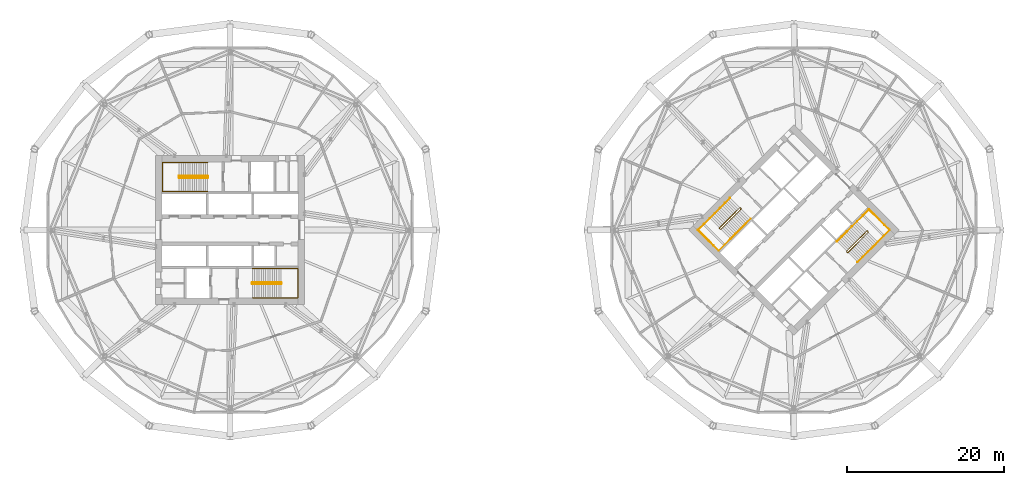
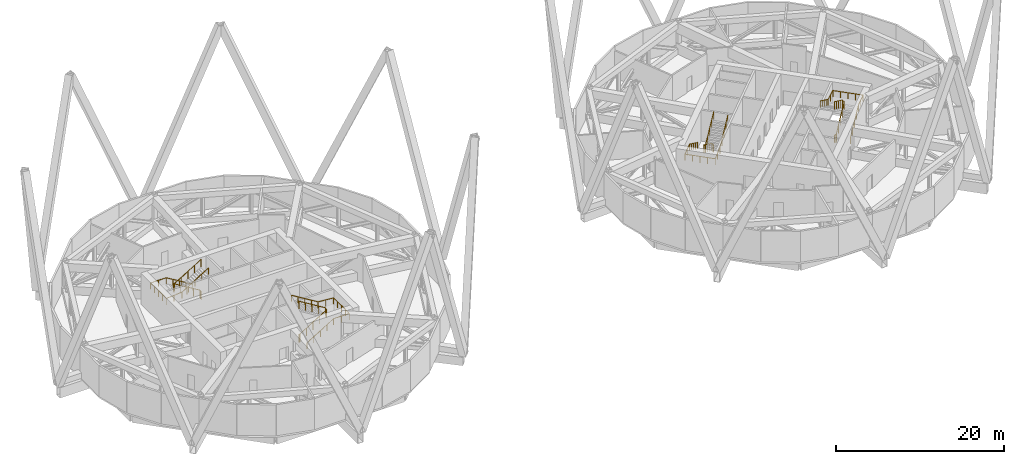
# One storey, part 21 of 21: 8 railings.
"""IFC4 building model written with IfcOpenShell, lengths in metres."""

from ifc_helpers import new_model, si_unit, direction, frame, origin, origin_2d, place, context, subcontext, project, spatial, circle, extrude, material, type_object, element, save


model = new_model("IFC4")

# Units and contexts
model_context = context("Model", 3, precision=1e-05, world=origin(), true_north=direction((0.0, 1.0)))
body_context = subcontext(model_context, "Body", "Model", "MODEL_VIEW")
ifc_project = project(units=[si_unit("LENGTHUNIT", "METRE"), si_unit("AREAUNIT", "SQUARE_METRE"), si_unit("VOLUMEUNIT", "CUBIC_METRE"), si_unit("PLANEANGLEUNIT", "RADIAN"), si_unit("MASSUNIT", "GRAM", prefix="KILO")], contexts=[model_context])

# Site, building, storey
site_placement = place(None, origin())
site = spatial("IfcSite", under=ifc_project, at=site_placement, CompositionType="ELEMENT")
building_placement = place(site_placement, origin())
building = spatial("IfcBuilding", under=site, at=building_placement, Name="Ogive Gate Towers", CompositionType="ELEMENT")
storey_placement = place(building_placement, frame((0.0, 0.0, 71.39990234375)))
storey = spatial("IfcBuildingStorey", under=building, at=storey_placement, Name="L16", CompositionType="ELEMENT", Elevation=71.39990234375)

# Railings
ifc_material = material(Name="Stainless steel", Category="steel")
railing_type_1 = type_object("IfcRailingType", Name="Stair guard 1100", PredefinedType="GUARDRAIL", material=ifc_material)
railing_1_placement = place(storey_placement, frame((-38.81494140625, 6.860107421875, 0.0)))
element("IfcRailing", 1, at=railing_1_placement, inside=storey, type_object=railing_type_1, Name="L16 ST1 stair guard 1", PredefinedType="GUARDRAIL", context=body_context, shape_type="SweptSolid", body=[
    extrude(circle(Radius=0.02392578125, at=origin_2d()), frame((0.0, 0.0, 1.076171875), z_axis=(0.0, -1.0, 0.0), x_axis=(1.0, 0.0, 0.0)), (0.0, 0.0, 1.0), 0.14501953125),
    extrude(circle(Radius=0.02392578125, at=origin_2d()), frame((0.0, -0.14501953125, 1.076171875), z_axis=(-0.189276989819, 0.736795306711, 0.649081579722), x_axis=(-0.968551454522, -0.24881334358, 0.0)), (0.0, 0.0, 1.0), 0.264404296875),
    extrude(circle(Radius=0.02392578125, at=origin_2d()), frame((-0.050048828125, 0.0498046875, 1.24755859375), z_axis=(-0.852850264322, 0.0, 0.5221555579), x_axis=(0.0, -1.0, 0.0)), (0.0, 0.0, 1.0), 4.267822265625),
    extrude(circle(Radius=0.02392578125, at=origin_2d()), frame((-3.68994140625, 0.0498046875, 3.47607421875), z_axis=(-0.708833529934, -0.705375805398, 0.0), x_axis=(0.705375805398, -0.708833529934, 0.0)), (0.0, 0.0, 1.0), 0.070556640625),
    extrude(circle(Radius=0.02392578125, at=origin_2d()), frame((-3.739990234375, 0.0, 3.47607421875), z_axis=(0.0, -1.0, 0.0), x_axis=(1.0, 0.0, 0.0)), (0.0, 0.0, 1.0), 0.14501953125),
    extrude(circle(Radius=0.02392578125, at=origin_2d()), frame((-3.739990234375, -0.14501953125, 3.47607421875), z_axis=(0.269911200495, -0.269911200495, 0.924281281696), x_axis=(0.707106781187, 0.707106781187, 0.0)), (0.0, 0.0, 1.0), 0.185546875),
    extrude(circle(Radius=0.02392578125, at=origin_2d()), frame((-3.68994140625, -0.195068359375, 3.6474609375), z_axis=(0.852850264322, 0.0, 0.5221555579), x_axis=(0.0, 1.0, 0.0)), (0.0, 0.0, 1.0), 4.267822265625),
    extrude(circle(Radius=0.02099609375, at=origin_2d()), origin(), (0.0, 0.0, 1.0), 1.052001953125),
    extrude(circle(Radius=0.02099609375, at=origin_2d()), frame((0.0, -0.14501953125, 0.0)), (0.0, 0.0, 1.0), 1.052001953125),
    extrude(circle(Radius=0.02099609375, at=origin_2d()), frame((-0.050048828125, 0.0498046875, 0.171630859375)), (0.0, 0.0, 1.0), 1.052001953125),
    extrude(circle(Radius=0.02099609375, at=origin_2d()), frame((-0.9599609375, 0.0498046875, 0.728759765625)), (0.0, 0.0, 1.0), 1.052001953125),
    extrude(circle(Radius=0.02099609375, at=origin_2d()), frame((-1.8701171875, 0.0498046875, 1.285888671875)), (0.0, 0.0, 1.0), 1.052001953125),
    extrude(circle(Radius=0.02099609375, at=origin_2d()), frame((-2.780029296875, 0.0498046875, 1.843017578125)), (0.0, 0.0, 1.0), 1.052001953125),
    extrude(circle(Radius=0.02099609375, at=origin_2d()), frame((-3.68994140625, 0.0498046875, 2.400146484375)), (0.0, 0.0, 1.0), 1.052001953125),
    extrude(circle(Radius=0.02099609375, at=origin_2d()), frame((-3.739990234375, 0.0, 2.400146484375)), (0.0, 0.0, 1.0), 1.052001953125),
    extrude(circle(Radius=0.02099609375, at=origin_2d()), frame((-3.739990234375, -0.14501953125, 2.400146484375)), (0.0, 0.0, 1.0), 1.052001953125),
    extrude(circle(Radius=0.02099609375, at=origin_2d()), frame((-3.68994140625, -0.195068359375, 2.571533203125)), (0.0, 0.0, 1.0), 1.052001953125),
    extrude(circle(Radius=0.02099609375, at=origin_2d()), frame((-2.780029296875, -0.195068359375, 3.128662109375)), (0.0, 0.0, 1.0), 1.052001953125),
    extrude(circle(Radius=0.02099609375, at=origin_2d()), frame((-1.8701171875, -0.195068359375, 3.685791015625)), (0.0, 0.0, 1.0), 1.052001953125),
    extrude(circle(Radius=0.02099609375, at=origin_2d()), frame((-0.9599609375, -0.195068359375, 4.242919921875)), (0.0, 0.0, 1.0), 1.052001953125),
    extrude(circle(Radius=0.02099609375, at=origin_2d()), frame((-0.050048828125, -0.195068359375, 4.800048828125)), (0.0, 0.0, 1.0), 1.052001953125),
])
railing_2_placement = place(storey_placement, frame((-33.18505859375, -6.860107421875, 0.0)))
element("IfcRailing", 2, at=railing_2_placement, inside=storey, type_object=railing_type_1, Name="L16 ST2 stair guard 1", PredefinedType="GUARDRAIL", context=body_context, shape_type="SweptSolid", body=[
    extrude(circle(Radius=0.02392578125, at=origin_2d()), frame((0.0, 0.0, 1.076171875), z_axis=(0.0, 1.0, 0.0), x_axis=(-1.0, 0.0, 0.0)), (0.0, 0.0, 1.0), 0.14501953125),
    extrude(circle(Radius=0.02392578125, at=origin_2d()), frame((0.0, 0.14501953125, 1.076171875), z_axis=(0.189276989819, -0.736795306711, 0.649081579722), x_axis=(0.968551454522, 0.24881334358, 0.0)), (0.0, 0.0, 1.0), 0.264404296875),
    extrude(circle(Radius=0.02392578125, at=origin_2d()), frame((0.050048828125, -0.0498046875, 1.24755859375), z_axis=(0.852850264322, 0.0, 0.5221555579), x_axis=(0.0, 1.0, 0.0)), (0.0, 0.0, 1.0), 4.267822265625),
    extrude(circle(Radius=0.02392578125, at=origin_2d()), frame((3.68994140625, -0.0498046875, 3.47607421875), z_axis=(0.708833529934, 0.705375805398, 0.0), x_axis=(-0.705375805398, 0.708833529934, 0.0)), (0.0, 0.0, 1.0), 0.070556640625),
    extrude(circle(Radius=0.02392578125, at=origin_2d()), frame((3.739990234375, 0.0, 3.47607421875), z_axis=(0.0, 1.0, 0.0), x_axis=(-1.0, 0.0, 0.0)), (0.0, 0.0, 1.0), 0.14501953125),
    extrude(circle(Radius=0.02392578125, at=origin_2d()), frame((3.739990234375, 0.14501953125, 3.47607421875), z_axis=(-0.269911200495, 0.269911200495, 0.924281281696), x_axis=(-0.707106781187, -0.707106781187, 0.0)), (0.0, 0.0, 1.0), 0.185546875),
    extrude(circle(Radius=0.02392578125, at=origin_2d()), frame((3.68994140625, 0.195068359375, 3.6474609375), z_axis=(-0.852850264322, 0.0, 0.5221555579), x_axis=(0.0, -1.0, 0.0)), (0.0, 0.0, 1.0), 4.267822265625),
    extrude(circle(Radius=0.02099609375, at=origin_2d()), origin(), (0.0, 0.0, 1.0), 1.052001953125),
    extrude(circle(Radius=0.02099609375, at=origin_2d()), frame((0.0, 0.14501953125, 0.0)), (0.0, 0.0, 1.0), 1.052001953125),
    extrude(circle(Radius=0.02099609375, at=origin_2d()), frame((0.050048828125, -0.0498046875, 0.171630859375)), (0.0, 0.0, 1.0), 1.052001953125),
    extrude(circle(Radius=0.02099609375, at=origin_2d()), frame((0.9599609375, -0.0498046875, 0.728759765625)), (0.0, 0.0, 1.0), 1.052001953125),
    extrude(circle(Radius=0.02099609375, at=origin_2d()), frame((1.8701171875, -0.0498046875, 1.285888671875)), (0.0, 0.0, 1.0), 1.052001953125),
    extrude(circle(Radius=0.02099609375, at=origin_2d()), frame((2.780029296875, -0.0498046875, 1.843017578125)), (0.0, 0.0, 1.0), 1.052001953125),
    extrude(circle(Radius=0.02099609375, at=origin_2d()), frame((3.68994140625, -0.0498046875, 2.400146484375)), (0.0, 0.0, 1.0), 1.052001953125),
    extrude(circle(Radius=0.02099609375, at=origin_2d()), frame((3.739990234375, 0.0, 2.400146484375)), (0.0, 0.0, 1.0), 1.052001953125),
    extrude(circle(Radius=0.02099609375, at=origin_2d()), frame((3.739990234375, 0.14501953125, 2.400146484375)), (0.0, 0.0, 1.0), 1.052001953125),
    extrude(circle(Radius=0.02099609375, at=origin_2d()), frame((3.68994140625, 0.195068359375, 2.571533203125)), (0.0, 0.0, 1.0), 1.052001953125),
    extrude(circle(Radius=0.02099609375, at=origin_2d()), frame((2.780029296875, 0.195068359375, 3.128662109375)), (0.0, 0.0, 1.0), 1.052001953125),
    extrude(circle(Radius=0.02099609375, at=origin_2d()), frame((1.8701171875, 0.195068359375, 3.685791015625)), (0.0, 0.0, 1.0), 1.052001953125),
    extrude(circle(Radius=0.02099609375, at=origin_2d()), frame((0.9599609375, 0.195068359375, 4.242919921875)), (0.0, 0.0, 1.0), 1.052001953125),
    extrude(circle(Radius=0.02099609375, at=origin_2d()), frame((0.050048828125, 0.195068359375, 4.800048828125)), (0.0, 0.0, 1.0), 1.052001953125),
])
railing_3_placement = place(storey_placement, frame((29.15869140625, 2.8603515625, 0.0)))
element("IfcRailing", 3, at=railing_3_placement, inside=storey, type_object=railing_type_1, Name="L16 ST1 stair guard 1", PredefinedType="GUARDRAIL", context=body_context, shape_type="SweptSolid", body=[
    extrude(circle(Radius=0.02392578125, at=origin_2d()), frame((0.0, 0.0, 1.076171875), z_axis=(0.707106781187, -0.707106781187, 0.0), x_axis=(0.707106781187, 0.707106781187, 0.0)), (0.0, 0.0, 1.0), 0.14501953125),
    extrude(circle(Radius=0.02392578125, at=origin_2d()), frame((0.1025390625, -0.1025390625, 1.076171875), z_axis=(-0.654551090275, 0.387745356722, 0.649011870893), x_axis=(-0.509669330572, -0.860370369942, 0.0)), (0.0, 0.0, 1.0), 0.264404296875),
    extrude(circle(Radius=0.02392578125, at=origin_2d()), frame((-0.070556640625, 0.0, 1.24755859375), z_axis=(-0.603067823642, -0.603067823642, 0.522128719929), x_axis=(0.707106781187, -0.707106781187, 0.0)), (0.0, 0.0, 1.0), 4.26806640625),
    extrude(circle(Radius=0.02392578125, at=origin_2d()), frame((-2.64453125, -2.573974609375, 3.47607421875), z_axis=(0.0, -1.0, 0.0), x_axis=(1.0, 0.0, 0.0)), (0.0, 0.0, 1.0), 0.07080078125),
    extrude(circle(Radius=0.02392578125, at=origin_2d()), frame((-2.64453125, -2.644775390625, 3.47607421875), z_axis=(0.707106781187, -0.707106781187, 0.0), x_axis=(0.707106781187, 0.707106781187, 0.0)), (0.0, 0.0, 1.0), 0.14501953125),
    extrude(circle(Radius=0.02392578125, at=origin_2d()), frame((-2.5419921875, -2.747314453125, 3.47607421875), z_axis=(0.381809054019, 0.0, 0.924241227315), x_axis=(0.0, 1.0, 0.0)), (0.0, 0.0, 1.0), 0.185546875),
    extrude(circle(Radius=0.02392578125, at=origin_2d()), frame((-2.47119140625, -2.747314453125, 3.6474609375), z_axis=(0.603031424376, 0.60308862713, 0.522146731333), x_axis=(-0.707140316402, 0.707073244381, 0.0)), (0.0, 0.0, 1.0), 4.26806640625),
    extrude(circle(Radius=0.02099609375, at=origin_2d()), origin(), (0.0, 0.0, 1.0), 1.052001953125),
    extrude(circle(Radius=0.02099609375, at=origin_2d()), frame((0.1025390625, -0.1025390625, 0.0)), (0.0, 0.0, 1.0), 1.052001953125),
    extrude(circle(Radius=0.02099609375, at=origin_2d()), frame((-0.070556640625, 0.0, 0.171630859375)), (0.0, 0.0, 1.0), 1.052001953125),
    extrude(circle(Radius=0.02099609375, at=origin_2d()), frame((-0.714111328125, -0.6435546875, 0.728759765625)), (0.0, 0.0, 1.0), 1.052001953125),
    extrude(circle(Radius=0.02099609375, at=origin_2d()), frame((-1.357421875, -1.287109375, 1.285888671875)), (0.0, 0.0, 1.0), 1.052001953125),
    extrude(circle(Radius=0.02099609375, at=origin_2d()), frame((-2.0009765625, -1.930419921875, 1.843017578125)), (0.0, 0.0, 1.0), 1.052001953125),
    extrude(circle(Radius=0.02099609375, at=origin_2d()), frame((-2.64453125, -2.573974609375, 2.400146484375)), (0.0, 0.0, 1.0), 1.052001953125),
    extrude(circle(Radius=0.02099609375, at=origin_2d()), frame((-2.64453125, -2.644775390625, 2.400146484375)), (0.0, 0.0, 1.0), 1.052001953125),
    extrude(circle(Radius=0.02099609375, at=origin_2d()), frame((-2.5419921875, -2.747314453125, 2.400146484375)), (0.0, 0.0, 1.0), 1.052001953125),
    extrude(circle(Radius=0.02099609375, at=origin_2d()), frame((-2.47119140625, -2.747314453125, 2.571533203125)), (0.0, 0.0, 1.0), 1.052001953125),
    extrude(circle(Radius=0.02099609375, at=origin_2d()), frame((-1.82763671875, -2.103759765625, 3.128662109375)), (0.0, 0.0, 1.0), 1.052001953125),
    extrude(circle(Radius=0.02099609375, at=origin_2d()), frame((-1.184326171875, -1.46044921875, 3.685791015625)), (0.0, 0.0, 1.0), 1.052001953125),
    extrude(circle(Radius=0.02099609375, at=origin_2d()), frame((-0.541015625, -0.81689453125, 4.242919921875)), (0.0, 0.0, 1.0), 1.052001953125),
    extrude(circle(Radius=0.02099609375, at=origin_2d()), frame((0.1025390625, -0.17333984375, 4.800048828125)), (0.0, 0.0, 1.0), 1.052001953125),
])
railing_4_placement = place(storey_placement, frame((42.84130859375, -2.8603515625, 0.0)))
element("IfcRailing", 4, at=railing_4_placement, inside=storey, type_object=railing_type_1, Name="L16 ST2 stair guard 1", PredefinedType="GUARDRAIL", context=body_context, shape_type="SweptSolid", body=[
    extrude(circle(Radius=0.02392578125, at=origin_2d()), frame((0.0, 0.0, 1.076171875), z_axis=(-0.707106781187, 0.707106781187, 0.0), x_axis=(-0.707106781187, -0.707106781187, 0.0)), (0.0, 0.0, 1.0), 0.14501953125),
    extrude(circle(Radius=0.02392578125, at=origin_2d()), frame((-0.1025390625, 0.1025390625, 1.076171875), z_axis=(0.654551090275, -0.387745356722, 0.649011870893), x_axis=(0.509669330572, 0.860370369942, 0.0)), (0.0, 0.0, 1.0), 0.264404296875),
    extrude(circle(Radius=0.02392578125, at=origin_2d()), frame((0.070556640625, 0.0, 1.24755859375), z_axis=(0.603067823642, 0.603067823642, 0.522128719929), x_axis=(-0.707106781187, 0.707106781187, 0.0)), (0.0, 0.0, 1.0), 4.26806640625),
    extrude(circle(Radius=0.02392578125, at=origin_2d()), frame((2.64453125, 2.573974609375, 3.47607421875), z_axis=(0.0, 1.0, 0.0), x_axis=(-1.0, 0.0, 0.0)), (0.0, 0.0, 1.0), 0.07080078125),
    extrude(circle(Radius=0.02392578125, at=origin_2d()), frame((2.64453125, 2.644775390625, 3.47607421875), z_axis=(-0.707106781187, 0.707106781187, 0.0), x_axis=(-0.707106781187, -0.707106781187, 0.0)), (0.0, 0.0, 1.0), 0.14501953125),
    extrude(circle(Radius=0.02392578125, at=origin_2d()), frame((2.5419921875, 2.747314453125, 3.47607421875), z_axis=(-0.381809054019, 0.0, 0.924241227315), x_axis=(0.0, -1.0, 0.0)), (0.0, 0.0, 1.0), 0.185546875),
    extrude(circle(Radius=0.02392578125, at=origin_2d()), frame((2.47119140625, 2.747314453125, 3.6474609375), z_axis=(-0.603031424376, -0.60308862713, 0.522146731333), x_axis=(0.707140316402, -0.707073244381, 0.0)), (0.0, 0.0, 1.0), 4.26806640625),
    extrude(circle(Radius=0.02099609375, at=origin_2d()), origin(), (0.0, 0.0, 1.0), 1.052001953125),
    extrude(circle(Radius=0.02099609375, at=origin_2d()), frame((-0.1025390625, 0.1025390625, 0.0)), (0.0, 0.0, 1.0), 1.052001953125),
    extrude(circle(Radius=0.02099609375, at=origin_2d()), frame((0.070556640625, 0.0, 0.171630859375)), (0.0, 0.0, 1.0), 1.052001953125),
    extrude(circle(Radius=0.02099609375, at=origin_2d()), frame((0.714111328125, 0.6435546875, 0.728759765625)), (0.0, 0.0, 1.0), 1.052001953125),
    extrude(circle(Radius=0.02099609375, at=origin_2d()), frame((1.357421875, 1.287109375, 1.285888671875)), (0.0, 0.0, 1.0), 1.052001953125),
    extrude(circle(Radius=0.02099609375, at=origin_2d()), frame((2.0009765625, 1.930419921875, 1.843017578125)), (0.0, 0.0, 1.0), 1.052001953125),
    extrude(circle(Radius=0.02099609375, at=origin_2d()), frame((2.64453125, 2.573974609375, 2.400146484375)), (0.0, 0.0, 1.0), 1.052001953125),
    extrude(circle(Radius=0.02099609375, at=origin_2d()), frame((2.64453125, 2.644775390625, 2.400146484375)), (0.0, 0.0, 1.0), 1.052001953125),
    extrude(circle(Radius=0.02099609375, at=origin_2d()), frame((2.5419921875, 2.747314453125, 2.400146484375)), (0.0, 0.0, 1.0), 1.052001953125),
    extrude(circle(Radius=0.02099609375, at=origin_2d()), frame((2.47119140625, 2.747314453125, 2.571533203125)), (0.0, 0.0, 1.0), 1.052001953125),
    extrude(circle(Radius=0.02099609375, at=origin_2d()), frame((1.82763671875, 2.103759765625, 3.128662109375)), (0.0, 0.0, 1.0), 1.052001953125),
    extrude(circle(Radius=0.02099609375, at=origin_2d()), frame((1.184326171875, 1.46044921875, 3.685791015625)), (0.0, 0.0, 1.0), 1.052001953125),
    extrude(circle(Radius=0.02099609375, at=origin_2d()), frame((0.541015625, 0.81689453125, 4.242919921875)), (0.0, 0.0, 1.0), 1.052001953125),
    extrude(circle(Radius=0.02099609375, at=origin_2d()), frame((-0.1025390625, 0.17333984375, 4.800048828125)), (0.0, 0.0, 1.0), 1.052001953125),
])
railing_type_2 = type_object("IfcRailingType", Name="Stair handrail 900", PredefinedType="HANDRAIL", material=ifc_material)
railing_5_placement = place(storey_placement, frame((-38.864990234375, 8.64990234375, 0.171630859375)))
element("IfcRailing", 5, at=railing_5_placement, inside=storey, type_object=railing_type_2, Name="L16 ST1 stair handrail 1", PredefinedType="HANDRAIL", context=body_context, shape_type="SweptSolid", body=[
    extrude(circle(Radius=0.02392578125, at=origin_2d()), frame((0.0, 0.0, 0.8759765625), z_axis=(-0.852850264322, 0.0, 0.5221555579), x_axis=(0.0, -1.0, 0.0)), (0.0, 0.0, 1.0), 4.267822265625),
    extrude(circle(Radius=0.02392578125, at=origin_2d()), frame((-3.639892578125, 0.0, 3.1044921875), z_axis=(-1.0, 0.0, 0.0), x_axis=(0.0, -1.0, 0.0)), (0.0, 0.0, 1.0), 2.14501953125),
    extrude(circle(Radius=0.02392578125, at=origin_2d()), frame((-5.784912109375, 0.0, 3.1044921875), z_axis=(0.0, -1.0, 0.0), x_axis=(1.0, 0.0, 0.0)), (0.0, 0.0, 1.0), 3.724853515625),
    extrude(circle(Radius=0.02392578125, at=origin_2d()), frame((-5.784912109375, -3.724853515625, 3.1044921875), z_axis=(0.996823210099, 0.0, 0.079646015649), x_axis=(0.0, 1.0, 0.0)), (0.0, 0.0, 1.0), 2.15185546875),
    extrude(circle(Radius=0.02392578125, at=origin_2d()), frame((-3.639892578125, -3.724853515625, 3.27587890625), z_axis=(0.852850264322, 0.0, 0.5221555579), x_axis=(0.0, 1.0, 0.0)), (0.0, 0.0, 1.0), 4.267822265625),
    extrude(circle(Radius=0.02099609375, at=origin_2d()), origin(), (0.0, 0.0, 1.0), 0.851806640625),
    extrude(circle(Radius=0.02099609375, at=origin_2d()), frame((-0.909912109375, 0.0, 0.55712890625)), (0.0, 0.0, 1.0), 0.851806640625),
    extrude(circle(Radius=0.02099609375, at=origin_2d()), frame((-1.81982421875, 0.0, 1.1142578125)), (0.0, 0.0, 1.0), 0.851806640625),
    extrude(circle(Radius=0.02099609375, at=origin_2d()), frame((-2.72998046875, 0.0, 1.67138671875)), (0.0, 0.0, 1.0), 0.851806640625),
    extrude(circle(Radius=0.02099609375, at=origin_2d()), frame((-3.639892578125, 0.0, 2.228515625)), (0.0, 0.0, 1.0), 0.851806640625),
    extrude(circle(Radius=0.02099609375, at=origin_2d()), frame((-4.71240234375, 0.0, 2.228515625)), (0.0, 0.0, 1.0), 0.851806640625),
    extrude(circle(Radius=0.02099609375, at=origin_2d()), frame((-5.784912109375, 0.0, 2.228515625)), (0.0, 0.0, 1.0), 0.851806640625),
    extrude(circle(Radius=0.02099609375, at=origin_2d()), frame((-5.784912109375, -0.93115234375, 2.228515625)), (0.0, 0.0, 1.0), 0.851806640625),
    extrude(circle(Radius=0.02099609375, at=origin_2d()), frame((-5.784912109375, -1.8623046875, 2.228515625)), (0.0, 0.0, 1.0), 0.851806640625),
    extrude(circle(Radius=0.02099609375, at=origin_2d()), frame((-5.784912109375, -2.793701171875, 2.228515625)), (0.0, 0.0, 1.0), 0.851806640625),
    extrude(circle(Radius=0.02099609375, at=origin_2d()), frame((-5.784912109375, -3.724853515625, 2.228515625)), (0.0, 0.0, 1.0), 0.851806640625),
    extrude(circle(Radius=0.02099609375, at=origin_2d()), frame((-4.71240234375, -3.724853515625, 2.314208984375)), (0.0, 0.0, 1.0), 0.851806640625),
    extrude(circle(Radius=0.02099609375, at=origin_2d()), frame((-3.639892578125, -3.724853515625, 2.39990234375)), (0.0, 0.0, 1.0), 0.851806640625),
    extrude(circle(Radius=0.02099609375, at=origin_2d()), frame((-2.72998046875, -3.724853515625, 2.95703125)), (0.0, 0.0, 1.0), 0.851806640625),
    extrude(circle(Radius=0.02099609375, at=origin_2d()), frame((-1.81982421875, -3.724853515625, 3.51416015625)), (0.0, 0.0, 1.0), 0.851806640625),
    extrude(circle(Radius=0.02099609375, at=origin_2d()), frame((-0.909912109375, -3.724853515625, 4.0712890625)), (0.0, 0.0, 1.0), 0.851806640625),
    extrude(circle(Radius=0.02099609375, at=origin_2d()), frame((0.0, -3.724853515625, 4.62841796875)), (0.0, 0.0, 1.0), 0.851806640625),
])
railing_6_placement = place(storey_placement, frame((-33.135009765625, -8.64990234375, 0.171630859375)))
element("IfcRailing", 6, at=railing_6_placement, inside=storey, type_object=railing_type_2, Name="L16 ST2 stair handrail 1", PredefinedType="HANDRAIL", context=body_context, shape_type="SweptSolid", body=[
    extrude(circle(Radius=0.02392578125, at=origin_2d()), frame((0.0, 0.0, 0.8759765625), z_axis=(0.852850264322, 0.0, 0.5221555579), x_axis=(0.0, 1.0, 0.0)), (0.0, 0.0, 1.0), 4.267822265625),
    extrude(circle(Radius=0.02392578125, at=origin_2d()), frame((3.639892578125, 0.0, 3.1044921875), z_axis=(1.0, 0.0, 0.0), x_axis=(0.0, 1.0, 0.0)), (0.0, 0.0, 1.0), 2.14501953125),
    extrude(circle(Radius=0.02392578125, at=origin_2d()), frame((5.784912109375, 0.0, 3.1044921875), z_axis=(0.0, 1.0, 0.0), x_axis=(-1.0, 0.0, 0.0)), (0.0, 0.0, 1.0), 3.724853515625),
    extrude(circle(Radius=0.02392578125, at=origin_2d()), frame((5.784912109375, 3.724853515625, 3.1044921875), z_axis=(-0.996823210099, 0.0, 0.079646015649), x_axis=(0.0, -1.0, 0.0)), (0.0, 0.0, 1.0), 2.15185546875),
    extrude(circle(Radius=0.02392578125, at=origin_2d()), frame((3.639892578125, 3.724853515625, 3.27587890625), z_axis=(-0.852850264322, 0.0, 0.5221555579), x_axis=(0.0, -1.0, 0.0)), (0.0, 0.0, 1.0), 4.267822265625),
    extrude(circle(Radius=0.02099609375, at=origin_2d()), origin(), (0.0, 0.0, 1.0), 0.851806640625),
    extrude(circle(Radius=0.02099609375, at=origin_2d()), frame((0.909912109375, 0.0, 0.55712890625)), (0.0, 0.0, 1.0), 0.851806640625),
    extrude(circle(Radius=0.02099609375, at=origin_2d()), frame((1.81982421875, 0.0, 1.1142578125)), (0.0, 0.0, 1.0), 0.851806640625),
    extrude(circle(Radius=0.02099609375, at=origin_2d()), frame((2.72998046875, 0.0, 1.67138671875)), (0.0, 0.0, 1.0), 0.851806640625),
    extrude(circle(Radius=0.02099609375, at=origin_2d()), frame((3.639892578125, 0.0, 2.228515625)), (0.0, 0.0, 1.0), 0.851806640625),
    extrude(circle(Radius=0.02099609375, at=origin_2d()), frame((4.71240234375, 0.0, 2.228515625)), (0.0, 0.0, 1.0), 0.851806640625),
    extrude(circle(Radius=0.02099609375, at=origin_2d()), frame((5.784912109375, 0.0, 2.228515625)), (0.0, 0.0, 1.0), 0.851806640625),
    extrude(circle(Radius=0.02099609375, at=origin_2d()), frame((5.784912109375, 0.93115234375, 2.228515625)), (0.0, 0.0, 1.0), 0.851806640625),
    extrude(circle(Radius=0.02099609375, at=origin_2d()), frame((5.784912109375, 1.8623046875, 2.228515625)), (0.0, 0.0, 1.0), 0.851806640625),
    extrude(circle(Radius=0.02099609375, at=origin_2d()), frame((5.784912109375, 2.793701171875, 2.228515625)), (0.0, 0.0, 1.0), 0.851806640625),
    extrude(circle(Radius=0.02099609375, at=origin_2d()), frame((5.784912109375, 3.724853515625, 2.228515625)), (0.0, 0.0, 1.0), 0.851806640625),
    extrude(circle(Radius=0.02099609375, at=origin_2d()), frame((4.71240234375, 3.724853515625, 2.314208984375)), (0.0, 0.0, 1.0), 0.851806640625),
    extrude(circle(Radius=0.02099609375, at=origin_2d()), frame((3.639892578125, 3.724853515625, 2.39990234375)), (0.0, 0.0, 1.0), 0.851806640625),
    extrude(circle(Radius=0.02099609375, at=origin_2d()), frame((2.72998046875, 3.724853515625, 2.95703125)), (0.0, 0.0, 1.0), 0.851806640625),
    extrude(circle(Radius=0.02099609375, at=origin_2d()), frame((1.81982421875, 3.724853515625, 3.51416015625)), (0.0, 0.0, 1.0), 0.851806640625),
    extrude(circle(Radius=0.02099609375, at=origin_2d()), frame((0.909912109375, 3.724853515625, 4.0712890625)), (0.0, 0.0, 1.0), 0.851806640625),
    extrude(circle(Radius=0.02099609375, at=origin_2d()), frame((0.0, 3.724853515625, 4.62841796875)), (0.0, 0.0, 1.0), 0.851806640625),
])
railing_7_placement = place(storey_placement, frame((27.857666015625, 4.090576171875, 0.171630859375)))
element("IfcRailing", 7, at=railing_7_placement, inside=storey, type_object=railing_type_2, Name="L16 ST1 stair handrail 1", PredefinedType="HANDRAIL", context=body_context, shape_type="SweptSolid", body=[
    extrude(circle(Radius=0.02392578125, at=origin_2d()), frame((0.0, 0.0, 0.8759765625), z_axis=(-0.60308862713, -0.603031424376, 0.522146731333), x_axis=(0.707073244381, -0.707140316402, 0.0)), (0.0, 0.0, 1.0), 4.26806640625),
    extrude(circle(Radius=0.02392578125, at=origin_2d()), frame((-2.573974609375, -2.57373046875, 3.1044921875), z_axis=(-0.707049868894, -0.707163688899, 0.0), x_axis=(0.707163688899, -0.707049868894, 0.0)), (0.0, 0.0, 1.0), 2.14501953125),
    extrude(circle(Radius=0.02392578125, at=origin_2d()), frame((-4.090576171875, -4.090576171875, 3.1044921875), z_axis=(0.707106781187, -0.707106781187, 0.0), x_axis=(0.707106781187, 0.707106781187, 0.0)), (0.0, 0.0, 1.0), 3.72509765625),
    extrude(circle(Radius=0.02392578125, at=origin_2d()), frame((-1.45654296875, -6.724609375, 3.1044921875), z_axis=(0.704803619142, 0.704917077548, 0.079647801133), x_axis=(-0.707163688899, 0.707049868894, 0.0)), (0.0, 0.0, 1.0), 2.15185546875),
    extrude(circle(Radius=0.02392578125, at=origin_2d()), frame((0.06005859375, -5.207763671875, 3.27587890625), z_axis=(0.60308862713, 0.603031424376, 0.522146731333), x_axis=(-0.707073244381, 0.707140316402, 0.0)), (0.0, 0.0, 1.0), 4.26806640625),
    extrude(circle(Radius=0.02099609375, at=origin_2d()), origin(), (0.0, 0.0, 1.0), 0.851806640625),
    extrude(circle(Radius=0.02099609375, at=origin_2d()), frame((-0.6435546875, -0.6435546875, 0.55712890625)), (0.0, 0.0, 1.0), 0.851806640625),
    extrude(circle(Radius=0.02099609375, at=origin_2d()), frame((-1.287109375, -1.286865234375, 1.1142578125)), (0.0, 0.0, 1.0), 0.851806640625),
    extrude(circle(Radius=0.02099609375, at=origin_2d()), frame((-1.930419921875, -1.93017578125, 1.67138671875)), (0.0, 0.0, 1.0), 0.851806640625),
    extrude(circle(Radius=0.02099609375, at=origin_2d()), frame((-2.573974609375, -2.57373046875, 2.228515625)), (0.0, 0.0, 1.0), 0.851806640625),
    extrude(circle(Radius=0.02099609375, at=origin_2d()), frame((-3.332275390625, -3.33203125, 2.228515625)), (0.0, 0.0, 1.0), 0.851806640625),
    extrude(circle(Radius=0.02099609375, at=origin_2d()), frame((-4.090576171875, -4.090576171875, 2.228515625)), (0.0, 0.0, 1.0), 0.851806640625),
    extrude(circle(Radius=0.02099609375, at=origin_2d()), frame((-3.43212890625, -4.7490234375, 2.228515625)), (0.0, 0.0, 1.0), 0.851806640625),
    extrude(circle(Radius=0.02099609375, at=origin_2d()), frame((-2.7734375, -5.40771484375, 2.228515625)), (0.0, 0.0, 1.0), 0.851806640625),
    extrude(circle(Radius=0.02099609375, at=origin_2d()), frame((-2.114990234375, -6.066162109375, 2.228515625)), (0.0, 0.0, 1.0), 0.851806640625),
    extrude(circle(Radius=0.02099609375, at=origin_2d()), frame((-1.45654296875, -6.724609375, 2.228515625)), (0.0, 0.0, 1.0), 0.851806640625),
    extrude(circle(Radius=0.02099609375, at=origin_2d()), frame((-0.6982421875, -5.96630859375, 2.314208984375)), (0.0, 0.0, 1.0), 0.851806640625),
    extrude(circle(Radius=0.02099609375, at=origin_2d()), frame((0.06005859375, -5.207763671875, 2.39990234375)), (0.0, 0.0, 1.0), 0.851806640625),
    extrude(circle(Radius=0.02099609375, at=origin_2d()), frame((0.70361328125, -4.564453125, 2.95703125)), (0.0, 0.0, 1.0), 0.851806640625),
    extrude(circle(Radius=0.02099609375, at=origin_2d()), frame((1.34716796875, -3.9208984375, 3.51416015625)), (0.0, 0.0, 1.0), 0.851806640625),
    extrude(circle(Radius=0.02099609375, at=origin_2d()), frame((1.990478515625, -3.27734375, 4.0712890625)), (0.0, 0.0, 1.0), 0.851806640625),
    extrude(circle(Radius=0.02099609375, at=origin_2d()), frame((2.634033203125, -2.634033203125, 4.62841796875)), (0.0, 0.0, 1.0), 0.851806640625),
])
railing_8_placement = place(storey_placement, frame((44.142333984375, -4.090576171875, 0.171630859375)))
element("IfcRailing", 8, at=railing_8_placement, inside=storey, type_object=railing_type_2, Name="L16 ST2 stair handrail 1", PredefinedType="HANDRAIL", context=body_context, shape_type="SweptSolid", body=[
    extrude(circle(Radius=0.02392578125, at=origin_2d()), frame((0.0, 0.0, 0.8759765625), z_axis=(0.60308862713, 0.603031424376, 0.522146731333), x_axis=(-0.707073244381, 0.707140316402, 0.0)), (0.0, 0.0, 1.0), 4.26806640625),
    extrude(circle(Radius=0.02392578125, at=origin_2d()), frame((2.573974609375, 2.57373046875, 3.1044921875), z_axis=(0.707049868894, 0.707163688899, 0.0), x_axis=(-0.707163688899, 0.707049868894, 0.0)), (0.0, 0.0, 1.0), 2.14501953125),
    extrude(circle(Radius=0.02392578125, at=origin_2d()), frame((4.090576171875, 4.090576171875, 3.1044921875), z_axis=(-0.707106781187, 0.707106781187, 0.0), x_axis=(-0.707106781187, -0.707106781187, 0.0)), (0.0, 0.0, 1.0), 3.72509765625),
    extrude(circle(Radius=0.02392578125, at=origin_2d()), frame((1.45654296875, 6.724609375, 3.1044921875), z_axis=(-0.704803619142, -0.704917077548, 0.079647801133), x_axis=(0.707163688899, -0.707049868894, 0.0)), (0.0, 0.0, 1.0), 2.15185546875),
    extrude(circle(Radius=0.02392578125, at=origin_2d()), frame((-0.06005859375, 5.207763671875, 3.27587890625), z_axis=(-0.60308862713, -0.603031424376, 0.522146731333), x_axis=(0.707073244381, -0.707140316402, 0.0)), (0.0, 0.0, 1.0), 4.26806640625),
    extrude(circle(Radius=0.02099609375, at=origin_2d()), origin(), (0.0, 0.0, 1.0), 0.851806640625),
    extrude(circle(Radius=0.02099609375, at=origin_2d()), frame((0.6435546875, 0.6435546875, 0.55712890625)), (0.0, 0.0, 1.0), 0.851806640625),
    extrude(circle(Radius=0.02099609375, at=origin_2d()), frame((1.287109375, 1.286865234375, 1.1142578125)), (0.0, 0.0, 1.0), 0.851806640625),
    extrude(circle(Radius=0.02099609375, at=origin_2d()), frame((1.930419921875, 1.93017578125, 1.67138671875)), (0.0, 0.0, 1.0), 0.851806640625),
    extrude(circle(Radius=0.02099609375, at=origin_2d()), frame((2.573974609375, 2.57373046875, 2.228515625)), (0.0, 0.0, 1.0), 0.851806640625),
    extrude(circle(Radius=0.02099609375, at=origin_2d()), frame((3.332275390625, 3.33203125, 2.228515625)), (0.0, 0.0, 1.0), 0.851806640625),
    extrude(circle(Radius=0.02099609375, at=origin_2d()), frame((4.090576171875, 4.090576171875, 2.228515625)), (0.0, 0.0, 1.0), 0.851806640625),
    extrude(circle(Radius=0.02099609375, at=origin_2d()), frame((3.43212890625, 4.7490234375, 2.228515625)), (0.0, 0.0, 1.0), 0.851806640625),
    extrude(circle(Radius=0.02099609375, at=origin_2d()), frame((2.7734375, 5.40771484375, 2.228515625)), (0.0, 0.0, 1.0), 0.851806640625),
    extrude(circle(Radius=0.02099609375, at=origin_2d()), frame((2.114990234375, 6.066162109375, 2.228515625)), (0.0, 0.0, 1.0), 0.851806640625),
    extrude(circle(Radius=0.02099609375, at=origin_2d()), frame((1.45654296875, 6.724609375, 2.228515625)), (0.0, 0.0, 1.0), 0.851806640625),
    extrude(circle(Radius=0.02099609375, at=origin_2d()), frame((0.6982421875, 5.96630859375, 2.314208984375)), (0.0, 0.0, 1.0), 0.851806640625),
    extrude(circle(Radius=0.02099609375, at=origin_2d()), frame((-0.06005859375, 5.207763671875, 2.39990234375)), (0.0, 0.0, 1.0), 0.851806640625),
    extrude(circle(Radius=0.02099609375, at=origin_2d()), frame((-0.70361328125, 4.564453125, 2.95703125)), (0.0, 0.0, 1.0), 0.851806640625),
    extrude(circle(Radius=0.02099609375, at=origin_2d()), frame((-1.34716796875, 3.9208984375, 3.51416015625)), (0.0, 0.0, 1.0), 0.851806640625),
    extrude(circle(Radius=0.02099609375, at=origin_2d()), frame((-1.990478515625, 3.27734375, 4.0712890625)), (0.0, 0.0, 1.0), 0.851806640625),
    extrude(circle(Radius=0.02099609375, at=origin_2d()), frame((-2.634033203125, 2.634033203125, 4.62841796875)), (0.0, 0.0, 1.0), 0.851806640625),
])

save(model, "model.ifc")
